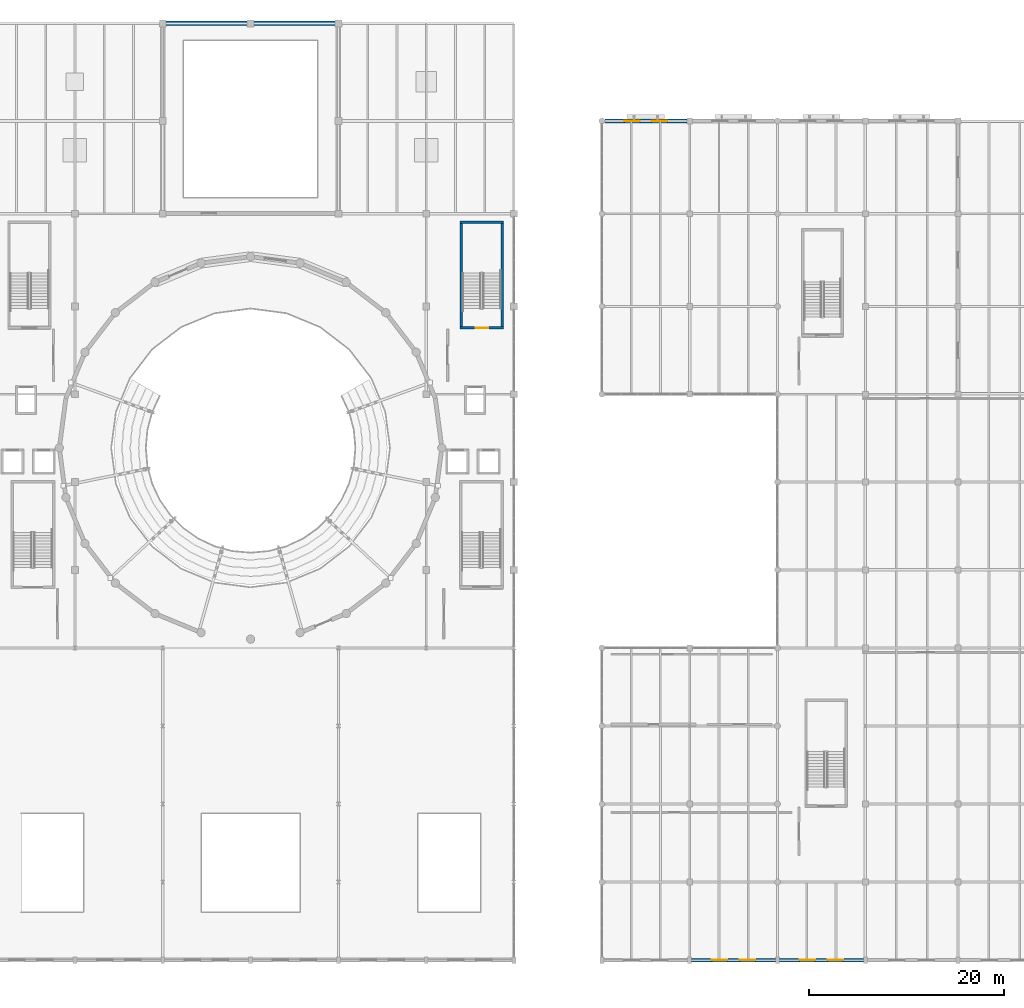
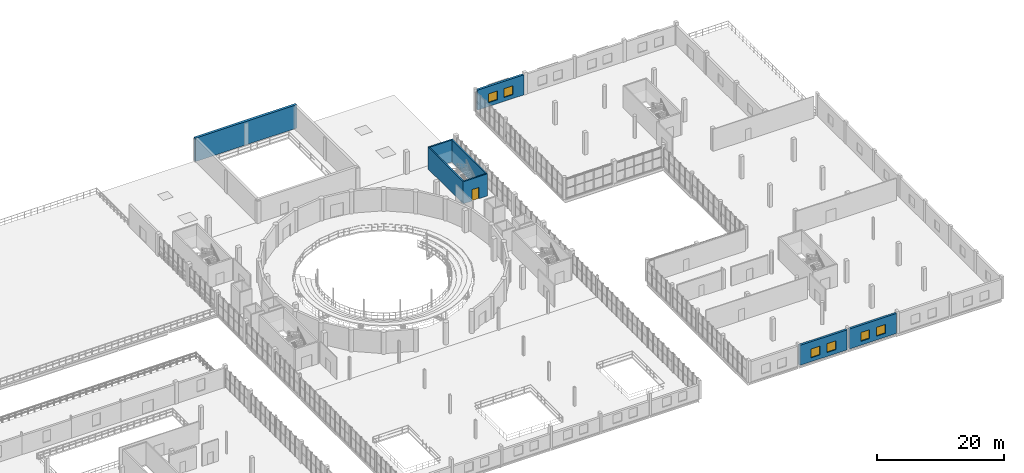
# One storey, part 58 of 73: 8 walls, 6 windows, 1 door, 7 openings.
"""IFC4 building model written with IfcOpenShell, lengths in metres."""

from ifc_helpers import new_model, si_unit, direction, frame, frame_2d, origin, place, context, subcontext, project, spatial, rectangle, extrude, material, layer, layer_set, type_object, element, fill, save


model = new_model("IFC4")

# Units and contexts
model_context = context("Model", 3, precision=1e-05, world=origin(), true_north=direction((0.0, 1.0)))
body_context = subcontext(model_context, "Body", "Model", "MODEL_VIEW")
ifc_project = project(units=[si_unit("LENGTHUNIT", "METRE"), si_unit("AREAUNIT", "SQUARE_METRE"), si_unit("VOLUMEUNIT", "CUBIC_METRE"), si_unit("PLANEANGLEUNIT", "RADIAN"), si_unit("MASSUNIT", "GRAM", prefix="KILO")], contexts=[model_context])

# Site, building, storey
site_placement = place(None, origin())
site = spatial("IfcSite", under=ifc_project, at=site_placement, CompositionType="ELEMENT")
building_placement = place(site_placement, origin())
building = spatial("IfcBuilding", under=site, at=building_placement, Name="Marnock Terrace Opera House", CompositionType="ELEMENT")
storey_placement = place(building_placement, frame((0.0, 0.0, 14.699951171875)))
storey = spatial("IfcBuildingStorey", under=building, at=storey_placement, Name="L03", CompositionType="ELEMENT", Elevation=14.699951171875)

# Wall, openings, windows
ifc_material_1 = material(Name="Basket Range sandstone ashlar masonry", Category="masonry")
ifc_layer_1 = layer(ifc_material_1, 0.389892578125)
ifc_layer_set_1 = layer_set([ifc_layer_1], Name="Basket Range sandstone ashlar masonry")
wall_type_1 = type_object("IfcWallType", Name="EW-ASHLAR-390", PredefinedType="SOLIDWALL", material=ifc_layer_set_1)
wall_1_placement = place(storey_placement, frame((127.196044921875, 8.0, 0.0), z_axis=(0.0, 0.0, 1.0), x_axis=(1.0, 0.0, 0.0)))
wall_1 = element("IfcWall", 1, at=wall_1_placement, inside=storey, type_object=wall_type_1, Name="L03 Volume 5 south sandstone facade 2", PredefinedType="SOLIDWALL", context=body_context, shape_type="SweptSolid", body=[
    extrude(rectangle(XDim=8.60791015625, YDim=0.389892578125, at=frame_2d((4.303955078125, 0.0))), origin(), (0.0, 0.0, 1.0), 3.841552734375),
])
opening_1_placement = place(wall_1_placement, frame((2.0693359375, 0.0, 0.75)))
opening_1 = element("IfcOpeningElement", 2, at=opening_1_placement, cuts=wall_1, Name="Opening WT-107", PredefinedType="OPENING", context=body_context, shape_type="SweptSolid", body=[
    extrude(rectangle(XDim=1.60009765625, YDim=1.699951171875, at=frame_2d((0.800048828125, 0.85009765625))), frame((0.0, 0.204833984375, 0.0), z_axis=(0.0, -1.0, 0.0), x_axis=(1.0, 0.0, 0.0)), (0.0, 0.0, 1.0), 0.409912109375),
])
opening_2_placement = place(wall_1_placement, frame((4.938720703125, 0.0, 0.75)))
opening_2 = element("IfcOpeningElement", 3, at=opening_2_placement, cuts=wall_1, Name="Opening WT-107", PredefinedType="OPENING", context=body_context, shape_type="SweptSolid", body=[
    extrude(rectangle(XDim=1.60009765625, YDim=1.699951171875, at=frame_2d((0.800048828125, 0.85009765625))), frame((0.0, 0.204833984375, 0.0), z_axis=(0.0, -1.0, 0.0), x_axis=(1.0, 0.0, 0.0)), (0.0, 0.0, 1.0), 0.409912109375),
])
ifc_material_2 = material(Name="Double-glazed acoustic low-E laminated glass", Category="glass")
window_type = type_object("IfcWindowType", Name="WT-ATTIC-1600", PartitioningType="SINGLE_PANEL", PredefinedType="WINDOW", material=ifc_material_2)
window_1_placement = place(opening_1_placement, origin())
window_1 = element("IfcWindow", 4, at=window_1_placement, inside=storey, type_object=window_type, Name="L03 facade window EW-V5S-L03-2.1", OverallHeight=1.699951171875, OverallWidth=1.60009765625, PartitioningType="SINGLE_PANEL", PredefinedType="WINDOW", context=body_context, shape_type="SweptSolid", body=[
    extrude(rectangle(XDim=1.60009765625, YDim=1.699951171875, at=frame_2d((0.800048828125, 0.85009765625))), frame((0.0, 0.030029296875, 0.0), z_axis=(0.0, -1.0, 0.0), x_axis=(1.0, 0.0, 0.0)), (0.0, 0.0, 1.0), 0.06005859375),
])
fill(opening_1, window_1)
window_2_placement = place(opening_2_placement, origin())
window_2 = element("IfcWindow", 5, at=window_2_placement, inside=storey, type_object=window_type, Name="L03 facade window EW-V5S-L03-2.2", OverallHeight=1.699951171875, OverallWidth=1.60009765625, PartitioningType="SINGLE_PANEL", PredefinedType="WINDOW", context=body_context, shape_type="SweptSolid", body=[
    extrude(rectangle(XDim=1.60009765625, YDim=1.699951171875, at=frame_2d((0.800048828125, 0.85009765625))), frame((0.0, 0.030029296875, 0.0), z_axis=(0.0, -1.0, 0.0), x_axis=(1.0, 0.0, 0.0)), (0.0, 0.0, 1.0), 0.06005859375),
])
fill(opening_2, window_2)

wall_2_placement = place(storey_placement, frame((136.196044921875, 8.0, 0.0), z_axis=(0.0, 0.0, 1.0), x_axis=(1.0, 0.0, 0.0)))
wall_2 = element("IfcWall", 6, at=wall_2_placement, inside=storey, type_object=wall_type_1, Name="L03 Volume 5 south sandstone facade 3", PredefinedType="SOLIDWALL", context=body_context, shape_type="SweptSolid", body=[
    extrude(rectangle(XDim=8.60791015625, YDim=0.389892578125, at=frame_2d((4.303955078125, 0.0))), origin(), (0.0, 0.0, 1.0), 3.841552734375),
])
opening_3_placement = place(wall_2_placement, frame((2.0693359375, 0.0, 0.75)))
opening_3 = element("IfcOpeningElement", 7, at=opening_3_placement, cuts=wall_2, Name="Opening WT-107", PredefinedType="OPENING", context=body_context, shape_type="SweptSolid", body=[
    extrude(rectangle(XDim=1.60009765625, YDim=1.699951171875, at=frame_2d((0.800048828125, 0.85009765625))), frame((0.0, 0.204833984375, 0.0), z_axis=(0.0, -1.0, 0.0), x_axis=(1.0, 0.0, 0.0)), (0.0, 0.0, 1.0), 0.409912109375),
])
opening_4_placement = place(wall_2_placement, frame((4.938720703125, 0.0, 0.75)))
opening_4 = element("IfcOpeningElement", 8, at=opening_4_placement, cuts=wall_2, Name="Opening WT-107", PredefinedType="OPENING", context=body_context, shape_type="SweptSolid", body=[
    extrude(rectangle(XDim=1.60009765625, YDim=1.699951171875, at=frame_2d((0.800048828125, 0.85009765625))), frame((0.0, 0.204833984375, 0.0), z_axis=(0.0, -1.0, 0.0), x_axis=(1.0, 0.0, 0.0)), (0.0, 0.0, 1.0), 0.409912109375),
])
window_3_placement = place(opening_3_placement, origin())
window_3 = element("IfcWindow", 9, at=window_3_placement, inside=storey, type_object=window_type, Name="L03 facade window EW-V5S-L03-3.1", OverallHeight=1.699951171875, OverallWidth=1.60009765625, PartitioningType="SINGLE_PANEL", PredefinedType="WINDOW", context=body_context, shape_type="SweptSolid", body=[
    extrude(rectangle(XDim=1.60009765625, YDim=1.699951171875, at=frame_2d((0.800048828125, 0.85009765625))), frame((0.0, 0.030029296875, 0.0), z_axis=(0.0, -1.0, 0.0), x_axis=(1.0, 0.0, 0.0)), (0.0, 0.0, 1.0), 0.06005859375),
])
fill(opening_3, window_3)
window_4_placement = place(opening_4_placement, origin())
window_4 = element("IfcWindow", 10, at=window_4_placement, inside=storey, type_object=window_type, Name="L03 facade window EW-V5S-L03-3.2", OverallHeight=1.699951171875, OverallWidth=1.60009765625, PartitioningType="SINGLE_PANEL", PredefinedType="WINDOW", context=body_context, shape_type="SweptSolid", body=[
    extrude(rectangle(XDim=1.60009765625, YDim=1.699951171875, at=frame_2d((0.800048828125, 0.85009765625))), frame((0.0, 0.030029296875, 0.0), z_axis=(0.0, -1.0, 0.0), x_axis=(1.0, 0.0, 0.0)), (0.0, 0.0, 1.0), 0.06005859375),
])
fill(opening_4, window_4)

wall_3_placement = place(storey_placement, frame((118.2958984375, 94.0, 0.0), z_axis=(0.0, 0.0, 1.0), x_axis=(1.0, 0.0, 0.0)))
wall_3 = element("IfcWall", 11, at=wall_3_placement, inside=storey, type_object=wall_type_1, Name="L03 Volume 5 north parklands facade 1", PredefinedType="SOLIDWALL", context=body_context, shape_type="SweptSolid", body=[
    extrude(rectangle(XDim=8.408203125, YDim=0.389892578125, at=frame_2d((4.2041015625, 0.0))), origin(), (0.0, 0.0, 1.0), 3.847412109375),
])
opening_5_placement = place(wall_3_placement, frame((2.002685546875, 0.0, 0.75)))
opening_5 = element("IfcOpeningElement", 12, at=opening_5_placement, cuts=wall_3, Name="Opening WT-107", PredefinedType="OPENING", context=body_context, shape_type="SweptSolid", body=[
    extrude(rectangle(XDim=1.60009765625, YDim=1.699951171875, at=frame_2d((0.800048828125, 0.85009765625))), frame((0.0, 0.204833984375, 0.0), z_axis=(0.0, -1.0, 0.0), x_axis=(1.0, 0.0, 0.0)), (0.0, 0.0, 1.0), 0.409912109375),
])
opening_6_placement = place(wall_3_placement, frame((4.805419921875, 0.0, 0.75)))
opening_6 = element("IfcOpeningElement", 13, at=opening_6_placement, cuts=wall_3, Name="Opening WT-107", PredefinedType="OPENING", context=body_context, shape_type="SweptSolid", body=[
    extrude(rectangle(XDim=1.60009765625, YDim=1.699951171875, at=frame_2d((0.800048828125, 0.85009765625))), frame((0.0, 0.204833984375, 0.0), z_axis=(0.0, -1.0, 0.0), x_axis=(1.0, 0.0, 0.0)), (0.0, 0.0, 1.0), 0.409912109375),
])
window_5_placement = place(opening_5_placement, origin())
window_5 = element("IfcWindow", 14, at=window_5_placement, inside=storey, type_object=window_type, Name="L03 facade window EW-V5N-L03-1.1", OverallHeight=1.699951171875, OverallWidth=1.60009765625, PartitioningType="SINGLE_PANEL", PredefinedType="WINDOW", context=body_context, shape_type="SweptSolid", body=[
    extrude(rectangle(XDim=1.60009765625, YDim=1.699951171875, at=frame_2d((0.800048828125, 0.85009765625))), frame((0.0, 0.030029296875, 0.0), z_axis=(0.0, -1.0, 0.0), x_axis=(1.0, 0.0, 0.0)), (0.0, 0.0, 1.0), 0.06005859375),
])
fill(opening_5, window_5)
window_6_placement = place(opening_6_placement, origin())
window_6 = element("IfcWindow", 15, at=window_6_placement, inside=storey, type_object=window_type, Name="L03 facade window EW-V5N-L03-1.2", OverallHeight=1.699951171875, OverallWidth=1.60009765625, PartitioningType="SINGLE_PANEL", PredefinedType="WINDOW", context=body_context, shape_type="SweptSolid", body=[
    extrude(rectangle(XDim=1.60009765625, YDim=1.699951171875, at=frame_2d((0.800048828125, 0.85009765625))), frame((0.0, 0.030029296875, 0.0), z_axis=(0.0, -1.0, 0.0), x_axis=(1.0, 0.0, 0.0)), (0.0, 0.0, 1.0), 0.06005859375),
])
fill(opening_6, window_6)

# Wall, opening, door
ifc_material_3 = material(Name="Concrete N40 (f'c = 40 MPa)", Category="concrete")
ifc_layer_2 = layer(ifc_material_3, 0.25)
ifc_layer_set_2 = layer_set([ifc_layer_2], Name="Concrete N40 (f'c = 40 MPa)")
wall_type_2 = type_object("IfcWallType", Name="SW-CORE-250", PredefinedType="SHEAR", material=ifc_layer_set_2)
wall_4_placement = place(storey_placement, frame((103.47509765625, 72.800048828125, 0.0), z_axis=(0.0, 0.0, 1.0), x_axis=(1.0, 0.0, 0.0)))
wall_4 = element("IfcWall", 16, at=wall_4_placement, inside=storey, type_object=wall_type_2, Name="L03 Core C4 FRL 120/120/120 shear wall S", PredefinedType="SHEAR", context=body_context, shape_type="SweptSolid", body=[
    extrude(rectangle(XDim=4.449951171875, YDim=0.25, at=frame_2d((2.22509765625, 0.0))), origin(), (0.0, 0.0, 1.0), 4.25),
])
opening_7_placement = place(wall_4_placement, frame((1.574951171875, 0.0, 0.0)))
opening_7 = element("IfcOpeningElement", 17, at=opening_7_placement, cuts=wall_4, Name="Opening SD-C4-L03", PredefinedType="OPENING", context=body_context, shape_type="SweptSolid", body=[
    extrude(rectangle(XDim=1.300048828125, YDim=2.179931640625, at=frame_2d((0.64990234375, 1.08984375))), frame((0.0, 0.135009765625, 0.0), z_axis=(0.0, -1.0, 0.0), x_axis=(1.0, 0.0, 0.0)), (0.0, 0.0, 1.0), 0.27001953125),
])
ifc_material_4 = material(Name="Fire-rated acoustic timber-core door assembly", Category="wood")
door_type = type_object("IfcDoorType", Name="DT-STAIR-1300", OperationType="NOTDEFINED", PredefinedType="DOOR", material=ifc_material_4)
door_placement = place(opening_7_placement, origin())
door = element("IfcDoor", 18, at=door_placement, inside=storey, type_object=door_type, Name="L03 Stair ST-04 fire-isolated exit door", OperationType="SINGLE_SWING_LEFT", OverallHeight=2.179931640625, OverallWidth=1.300048828125, PredefinedType="DOOR", context=body_context, shape_type="SweptSolid", body=[
    extrude(rectangle(XDim=1.300048828125, YDim=2.179931640625, at=frame_2d((0.64990234375, 1.08984375))), frame((0.0, 0.02490234375, 0.0), z_axis=(0.0, -1.0, 0.0), x_axis=(1.0, 0.0, 0.0)), (0.0, 0.0, 1.0), 0.050048828125),
])
fill(opening_7, door)

# Walls
wall_5_placement = place(storey_placement, frame((103.47509765625, 83.639892578125, 0.0), z_axis=(0.0, 0.0, 1.0), x_axis=(1.0, 0.0, 0.0)))
element("IfcWall", 19, at=wall_5_placement, inside=storey, type_object=wall_type_2, Name="L03 Core C4 FRL 120/120/120 shear wall N", PredefinedType="SHEAR", context=body_context, shape_type="SweptSolid", body=[
    extrude(rectangle(XDim=4.449951171875, YDim=0.25, at=frame_2d((2.22509765625, 0.0))), origin(), (0.0, 0.0, 1.0), 4.25),
])
for number, where, z_axis, x_axis, name in (
    (20, (103.60009765625, 72.675048828125, 0.0), (0.0, 0.0, 1.0), (0.0, 1.0, 0.0), "L03 Core C4 FRL 120/120/120 shear wall W"),
    (21, (107.800048828125, 72.675048828125, 0.0), (0.0, 0.0, 1.0), (0.0, 1.0, 0.0), "L03 Core C4 FRL 120/120/120 shear wall E"),
):
    element("IfcWall", number, at=place(storey_placement, frame(where, z_axis=z_axis, x_axis=x_axis)), inside=storey, type_object=wall_type_2, Name=name, PredefinedType="SHEAR", context=body_context, shape_type="SweptSolid", body=[
        extrude(rectangle(XDim=11.08984375, YDim=0.25, at=frame_2d((5.544921875, 0.0))), origin(), (0.0, 0.0, 1.0), 4.25),
    ])
ifc_material_5 = material(Name="Concrete N50 (f'c = 50 MPa)", Category="concrete")
ifc_layer_3 = layer(ifc_material_5, 0.449951171875)
ifc_layer_set_3 = layer_set([ifc_layer_3], Name="Concrete N50 (f'c = 50 MPa)")
wall_type_3 = type_object("IfcWallType", Name="SW-FLY-450", PredefinedType="SHEAR", material=ifc_layer_set_3)
wall_6_placement = place(storey_placement, frame((72.77490234375, 104.0, 0.0), z_axis=(0.0, 0.0, 1.0), x_axis=(1.0, 0.0, 0.0)))
element("IfcWall", 22, at=wall_6_placement, inside=storey, type_object=wall_type_3, Name="L03 Fly Tower north shear wall", PredefinedType="SHEAR", context=body_context, shape_type="SweptSolid", body=[
    extrude(rectangle(XDim=18.4501953125, YDim=0.449951171875, at=frame_2d((9.22509765625, 0.0))), origin(), (0.0, 0.0, 1.0), 4.5),
])

save(model, "model.ifc")
